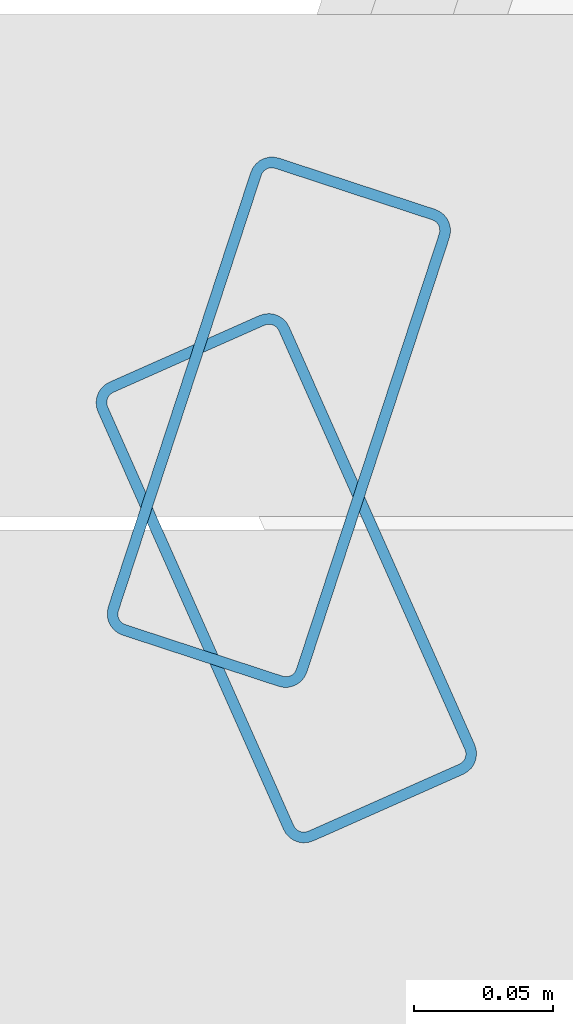
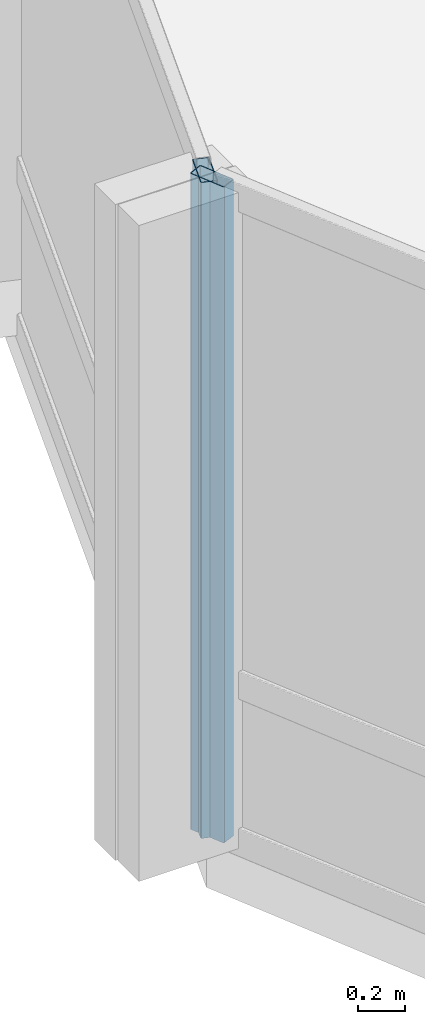
# One storey, part 6 of 29: 2 members, 2 elements without a shape of their own.
"""IFC4 building model written with IfcOpenShell, lengths in metres."""

from ifc_helpers import new_model, si_unit, direction, frame, origin, origin_2d, place, context, subcontext, project, spatial, hollow_rectangle, extrude, material, layer, layer_set, material_profile, profile_set, type_object, element, aggregate, save


model = new_model("IFC4")

# Units and contexts
model_context = context("Model", 3, precision=1e-05, world=origin(), true_north=direction((0.0, 1.0)))
body_context = subcontext(model_context, "Body", "Model", "MODEL_VIEW")
ifc_project = project(units=[si_unit("LENGTHUNIT", "METRE"), si_unit("AREAUNIT", "SQUARE_METRE"), si_unit("VOLUMEUNIT", "CUBIC_METRE"), si_unit("PLANEANGLEUNIT", "RADIAN"), si_unit("MASSUNIT", "GRAM", prefix="KILO")], contexts=[model_context])

# Site, building, storey
site_placement = place(None, origin())
site = spatial("IfcSite", under=ifc_project, at=site_placement, CompositionType="ELEMENT")
building_placement = place(site_placement, origin())
building = spatial("IfcBuilding", under=site, at=building_placement, Name="Solvaryn Broadcast Tower", CompositionType="ELEMENT")
storey_placement = place(building_placement, frame((0.0, 0.0, 124.800048828125)))
storey = spatial("IfcBuildingStorey", under=building, at=storey_placement, Name="L30", CompositionType="ELEMENT", Elevation=124.800048828125)

# Curtain wall, member
ifc_material_1 = material(Name="Aluminium and Terracotta Unitised Curtain Wall", Category="masonry")
ifc_layer = layer(ifc_material_1, 0.199951171875)
ifc_layer_set = layer_set([ifc_layer], Name="CW-SYS2-LOWMID")
curtain_wall_type = type_object("IfcCurtainWallType", Name="CW-SYS2-LOWMID", PredefinedType="NOTDEFINED", material=ifc_layer_set)
curtain_wall_1_placement = place(storey_placement, origin())
curtain_wall_1 = element("IfcCurtainWall", 1, at=curtain_wall_1_placement, inside=storey, type_object=curtain_wall_type, Name="L30 Curtain Wall DR1", PredefinedType="NOTDEFINED")
ifc_material_2 = material(Name="Anodised Aluminium 6063-T6", Category="aluminium")
ifc_material_profile = material_profile(ifc_material_2, hollow_rectangle(XDim=0.074951171875, YDim=0.179931640625, WallThickness=0.00390625, InnerFilletRadius=0.00390625, OuterFilletRadius=0.008056640625, at=origin_2d()))
ifc_profile_set = profile_set([ifc_material_profile], Name="Anodised Aluminium 6063-T6")
member_type = type_object("IfcMemberType", Name="CW-MUL-180", PredefinedType="MULLION", material=ifc_profile_set)
member_1_placement = place(storey_placement, frame((1.04345703125, 26.66455078125, 0.0), z_axis=(0.0, 0.0, 1.0), x_axis=(0.950198260794, -0.311646057547, 0.0)))
member_1 = element("IfcMember", 2, at=member_1_placement, type_object=member_type, Name="CWS2 mullion 2", PredefinedType="MULLION", context=body_context, shape_type="SweptSolid", body=[
    extrude(hollow_rectangle(XDim=0.074951171875, YDim=0.179931640625, WallThickness=0.00390625, InnerFilletRadius=0.00390625, OuterFilletRadius=0.008056640625, at=origin_2d()), origin(), (0.0, 0.0, 1.0), 3.419921875),
])
aggregate(curtain_wall_1, [member_1])

curtain_wall_2_placement = place(storey_placement, origin())
curtain_wall_2 = element("IfcCurtainWall", 3, at=curtain_wall_2_placement, inside=storey, type_object=curtain_wall_type, Name="L30 Curtain Wall DR2", PredefinedType="NOTDEFINED")
member_2_placement = place(storey_placement, frame((1.046142578125, 26.608642578125, 0.0), z_axis=(0.0, 0.0, 1.0), x_axis=(0.913909311008, 0.405918429309, 0.0)))
member_2 = element("IfcMember", 4, at=member_2_placement, type_object=member_type, Name="CWS2 mullion 1", PredefinedType="MULLION", context=body_context, shape_type="SweptSolid", body=[
    extrude(hollow_rectangle(XDim=0.074951171875, YDim=0.179931640625, WallThickness=0.00390625, InnerFilletRadius=0.00390625, OuterFilletRadius=0.008056640625, at=origin_2d()), origin(), (0.0, 0.0, 1.0), 3.419921875),
])
aggregate(curtain_wall_2, [member_2])

save(model, "model.ifc")
